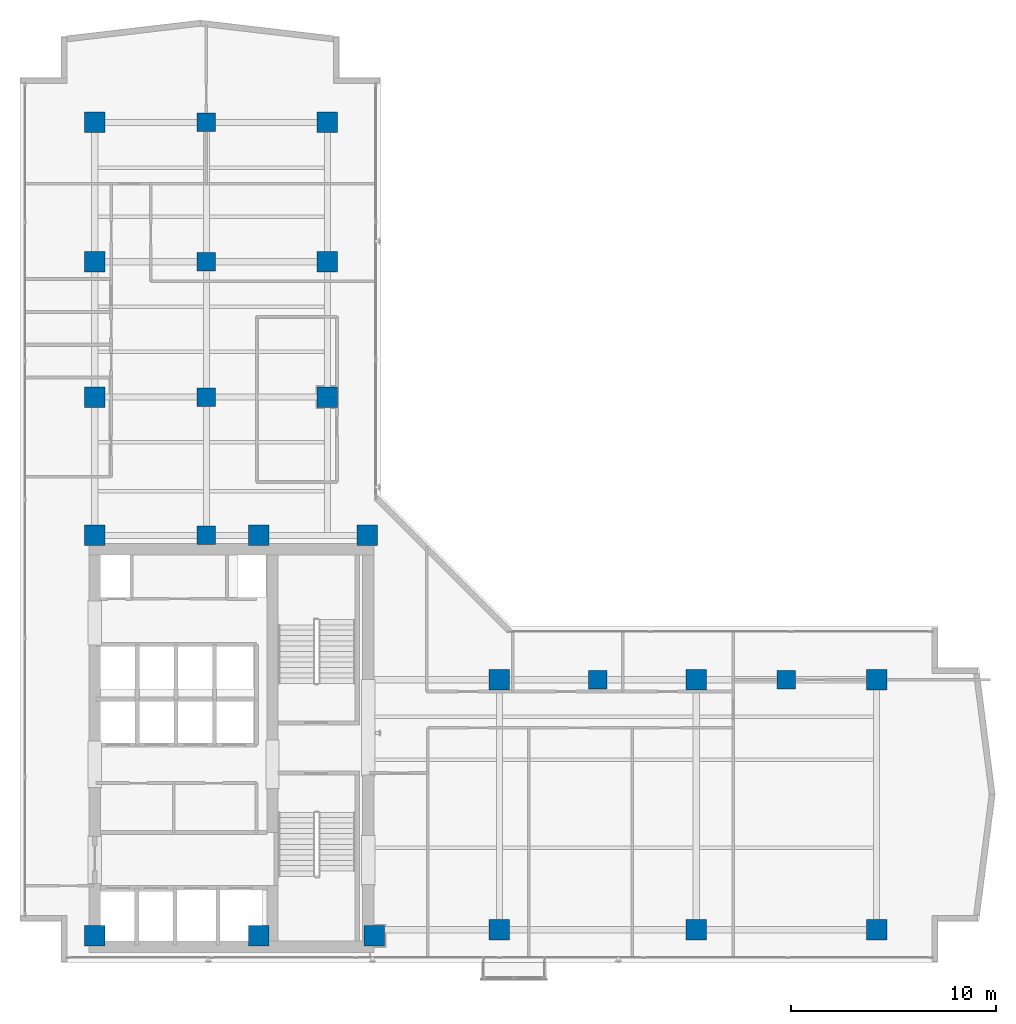
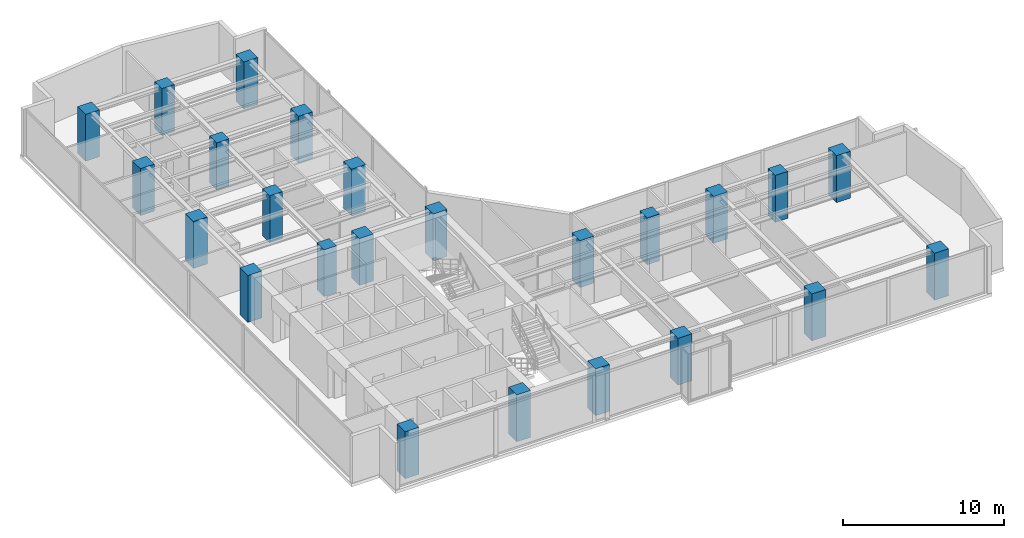
# One storey, part 1 of 23: 24 columns.
"""IFC4 building model written with IfcOpenShell, lengths in metres."""

from ifc_helpers import new_model, si_unit, direction, frame, origin, origin_2d, place, context, subcontext, project, spatial, rectangle, extrude, material, material_profile, profile_set, type_object, element, save


model = new_model("IFC4")

# Units and contexts
model_context = context("Model", 3, precision=1e-05, world=origin(), true_north=direction((0.0, 1.0)))
body_context = subcontext(model_context, "Body", "Model", "MODEL_VIEW")
ifc_project = project(units=[si_unit("LENGTHUNIT", "METRE"), si_unit("AREAUNIT", "SQUARE_METRE"), si_unit("VOLUMEUNIT", "CUBIC_METRE"), si_unit("PLANEANGLEUNIT", "RADIAN"), si_unit("MASSUNIT", "GRAM", prefix="KILO")], contexts=[model_context])

# Site, building, storey
site_placement = place(None, origin())
site = spatial("IfcSite", under=ifc_project, at=site_placement, CompositionType="ELEMENT")
building_placement = place(site_placement, origin())
building = spatial("IfcBuilding", under=site, at=building_placement, Name="Kolvaren Waterfront Exchange", CompositionType="ELEMENT")
storey_placement = place(building_placement, frame((0.0, 0.0, 215.89990234375)))
storey = spatial("IfcBuildingStorey", under=building, at=storey_placement, Name="L55", CompositionType="ELEMENT", Elevation=215.89990234375)

# Columns
ifc_material = material(Name="Concrete C50/60", Category="concrete")
ifc_material_profile_1 = material_profile(ifc_material, rectangle(XDim=1.0, YDim=1.0, at=origin_2d()), Name="RC-COL-1000x1000")
ifc_profile_set_1 = profile_set([ifc_material_profile_1], Name="Concrete C50/60")
column_type_1 = type_object("IfcColumnType", Name="STR-COL-1000-C50", PredefinedType="COLUMN", material=ifc_profile_set_1)
for number, where, z_axis, x_axis, name in (
    (1, (7.449951171875, 4.89990234375, 0.0), (0.0, 0.0, 1.0), (1.0, 0.0, 0.0), "L55 column MC01"),
    (2, (15.449951171875, 4.89990234375, 0.0), (0.0, 0.0, 1.0), (1.0, 0.0, 0.0), "L55 column MC02"),
    (3, (21.10009765625, 4.89990234375, 0.0), (0.0, 0.0, 1.0), (1.0, 0.0, 0.0), "L55 column MC03"),
    (4, (7.449951171875, 24.449951171875, 0.0), (0.0, 0.0, 1.0), (1.0, 0.0, 0.0), "L55 column MC04"),
    (5, (15.449951171875, 24.449951171875, 0.0), (0.0, 0.0, 1.0), (1.0, 0.0, 0.0), "L55 column MC05"),
    (6, (20.75, 24.449951171875, 0.0), (0.0, 0.0, 1.0), (1.0, 0.0, 0.0), "L55 column MC06"),
    (7, (7.449951171875, 31.199951171875, 0.0), (0.0, 0.0, 1.0), (1.0, 0.0, 0.0), "L55 column NC01"),
    (8, (7.449951171875, 37.800048828125, 0.0), (0.0, 0.0, 1.0), (1.0, 0.0, 0.0), "L55 column NC02"),
    (9, (7.449951171875, 44.60009765625, 0.0), (0.0, 0.0, 1.0), (1.0, 0.0, 0.0), "L55 column NC03"),
    (10, (18.800048828125, 31.199951171875, 0.0), (0.0, 0.0, 1.0), (1.0, 0.0, 0.0), "L55 column NC04"),
    (11, (18.800048828125, 37.800048828125, 0.0), (0.0, 0.0, 1.0), (1.0, 0.0, 0.0), "L55 column NC05"),
    (12, (18.800048828125, 44.60009765625, 0.0), (0.0, 0.0, 1.0), (1.0, 0.0, 0.0), "L55 column NC06"),
    (13, (27.199951171875, 5.199951171875, 0.0), (0.0, 0.0, 1.0), (1.0, 0.0, 0.0), "L55 column EC01"),
    (14, (36.800048828125, 5.199951171875, 0.0), (0.0, 0.0, 1.0), (1.0, 0.0, 0.0), "L55 column EC02"),
    (15, (45.60009765625, 5.199951171875, 0.0), (0.0, 0.0, 1.0), (1.0, 0.0, 0.0), "L55 column EC03"),
    (16, (27.199951171875, 17.39990234375, 0.0), (0.0, 0.0, 1.0), (1.0, 0.0, 0.0), "L55 column EC04"),
    (17, (36.800048828125, 17.39990234375, 0.0), (0.0, 0.0, 1.0), (1.0, 0.0, 0.0), "L55 column EC05"),
    (18, (45.60009765625, 17.39990234375, 0.0), (0.0, 0.0, 1.0), (1.0, 0.0, 0.0), "L55 column EC06"),
):
    element("IfcColumn", number, at=place(storey_placement, frame(where, z_axis=z_axis, x_axis=x_axis)), inside=storey, type_object=column_type_1, Name=name, PredefinedType="COLUMN", context=body_context, shape_type="SweptSolid", body=[
        extrude(rectangle(XDim=1.0, YDim=1.0, at=origin_2d()), origin(), (0.0, 0.0, 1.0), 3.56005859375),
    ])
ifc_material_profile_2 = material_profile(ifc_material, rectangle(XDim=0.89990234375, YDim=0.89990234375, at=origin_2d()), Name="RC-COL-900x900")
ifc_profile_set_2 = profile_set([ifc_material_profile_2], Name="Concrete C50/60")
column_type_2 = type_object("IfcColumnType", Name="STR-COL-900-C50", PredefinedType="COLUMN", material=ifc_profile_set_2)
for number, where, z_axis, x_axis, name in (
    (19, (12.89990234375, 24.449951171875, 0.0), (0.0, 0.0, 1.0), (1.0, 0.0, 0.0), "L55 column TC01"),
    (20, (12.89990234375, 31.199951171875, 0.0), (0.0, 0.0, 1.0), (1.0, 0.0, 0.0), "L55 column TC02"),
    (21, (12.89990234375, 37.800048828125, 0.0), (0.0, 0.0, 1.0), (1.0, 0.0, 0.0), "L55 column TC03"),
    (22, (12.89990234375, 44.60009765625, 0.0), (0.0, 0.0, 1.0), (1.0, 0.0, 0.0), "L55 column TC04"),
    (23, (32.0, 17.39990234375, 0.0), (0.0, 0.0, 1.0), (1.0, 0.0, 0.0), "L55 column TC05"),
    (24, (41.199951171875, 17.39990234375, 0.0), (0.0, 0.0, 1.0), (1.0, 0.0, 0.0), "L55 column TC06"),
):
    element("IfcColumn", number, at=place(storey_placement, frame(where, z_axis=z_axis, x_axis=x_axis)), inside=storey, type_object=column_type_2, Name=name, PredefinedType="COLUMN", context=body_context, shape_type="SweptSolid", body=[
        extrude(rectangle(XDim=0.89990234375, YDim=0.89990234375, at=origin_2d()), origin(), (0.0, 0.0, 1.0), 3.56005859375),
    ])

save(model, "model.ifc")
